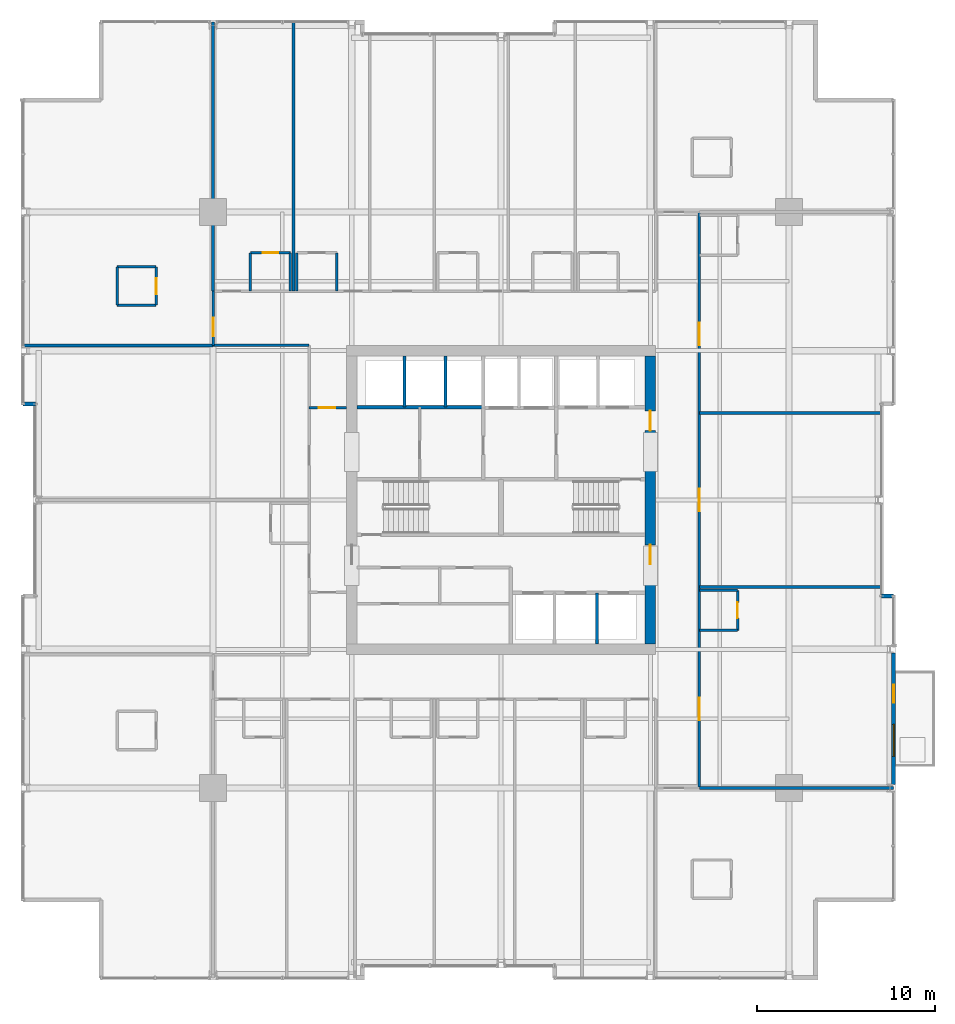
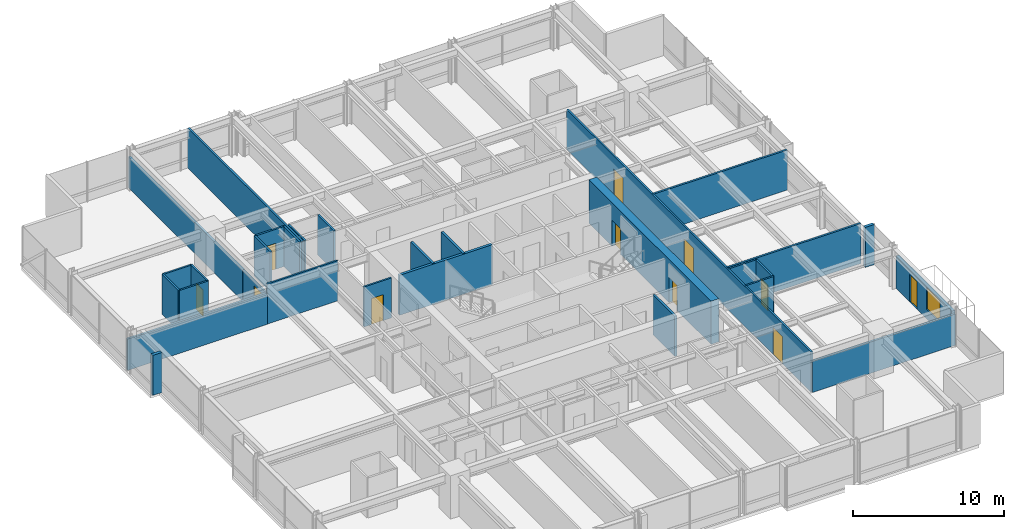
# One storey, part 30 of 34: 30 walls, 11 doors, 1 window, 12 openings.
"""IFC4 building model written with IfcOpenShell, lengths in metres."""

from ifc_helpers import new_model, si_unit, direction, frame, frame_2d, origin, place, context, subcontext, project, spatial, rectangle, extrude, material, layer, layer_set, type_object, element, fill, save


model = new_model("IFC4")

# Units and contexts
model_context = context("Model", 3, precision=1e-05, world=origin(), true_north=direction((0.0, 1.0)))
body_context = subcontext(model_context, "Body", "Model", "MODEL_VIEW")
ifc_project = project(units=[si_unit("LENGTHUNIT", "METRE"), si_unit("AREAUNIT", "SQUARE_METRE"), si_unit("VOLUMEUNIT", "CUBIC_METRE"), si_unit("PLANEANGLEUNIT", "RADIAN"), si_unit("MASSUNIT", "GRAM", prefix="KILO")], contexts=[model_context])

# Site, building, storey
site_placement = place(None, origin())
site = spatial("IfcSite", under=ifc_project, at=site_placement, CompositionType="ELEMENT")
building_placement = place(site_placement, origin())
building = spatial("IfcBuilding", under=site, at=building_placement, Name="Drelvath Grand Hotel", CompositionType="ELEMENT")
storey_placement = place(building_placement, frame((0.0, 0.0, 133.800048828125)))
storey = spatial("IfcBuildingStorey", under=building, at=storey_placement, Name="L34", CompositionType="ELEMENT", Elevation=133.800048828125)

# Walls
ifc_material_1 = material(Name="Concrete C40/50", Category="concrete")
ifc_layer_1 = layer(ifc_material_1, 0.199951171875)
ifc_layer_set_1 = layer_set([ifc_layer_1], Name="Concrete C40/50")
wall_type_1 = type_object("IfcWallType", Name="Core Hoistway Fire Wall 200", PredefinedType="SOLIDWALL", material=ifc_layer_set_1)
wall_1_placement = place(storey_placement, frame((-8.10009765625, 32.219970703125, 0.0), z_axis=(0.0, 0.0, 1.0), x_axis=(1.0, 0.0, 0.0)))
element("IfcWall", 1, at=wall_1_placement, inside=storey, type_object=wall_type_1, Name="L34 Bank 3 Hoistway Wall", PredefinedType="SOLIDWALL", context=body_context, shape_type="SweptSolid", body=[
    extrude(rectangle(XDim=7.10009765625, YDim=0.199951171875, at=frame_2d((3.550048828125, 0.0))), origin(), (0.0, 0.0, 1.0), 3.239990234375),
])
ifc_material_2 = material(Name="Gypsum Fireboard Partition")
ifc_layer_2 = layer(ifc_material_2, 0.1650390625)
ifc_layer_set_2 = layer_set([ifc_layer_2], Name="Gypsum Fireboard Partition")
wall_type_2 = type_object("IfcWallType", Name="Core Shaft Partition 165", PredefinedType="PARTITIONING", material=ifc_layer_set_2)
for number, where, z_axis, x_axis, name in (
    (2, (-5.43994140625, 32.219970703125, 0.0), (0.0, 0.0, 1.0), (0.0, 1.0, 0.0), "L34 Lift PE-7/8 Divider"),
    (3, (-3.1201171875, 32.219970703125, 0.0), (0.0, 0.0, 1.0), (0.0, 1.0, 0.0), "L34 Lift PE-8/9 Divider"),
    (4, (5.39990234375, 18.89990234375, 0.0), (0.0, 0.0, 1.0), (0.0, 1.0, 0.0), "L34 Lift PE-5/6 Divider"),
):
    element("IfcWall", number, at=place(storey_placement, frame(where, z_axis=z_axis, x_axis=x_axis)), inside=storey, type_object=wall_type_2, Name=name, PredefinedType="PARTITIONING", context=body_context, shape_type="SweptSolid", body=[
        extrude(rectangle(XDim=2.880126953125, YDim=0.1650390625, at=frame_2d((1.43994140625, 0.0))), origin(), (0.0, 0.0, 1.0), 3.239990234375),
    ])

# Wall, opening, door
ifc_layer_3 = layer(ifc_material_2, 0.135009765625)
ifc_layer_set_3 = layer_set([ifc_layer_3], Name="Gypsum Fireboard Partition")
wall_type_3 = type_object("IfcWallType", Name="Corridor Fire Barrier Wall 135", PredefinedType="PARTITIONING", material=ifc_layer_set_3)
wall_2_placement = place(storey_placement, frame((-10.800048828125, 32.199951171875, 0.0), z_axis=(0.0, 0.0, 1.0), x_axis=(1.0, 0.0, 0.0)))
wall_2 = element("IfcWall", 5, at=wall_2_placement, inside=storey, type_object=wall_type_3, Name="L34 West Foyer North Wall", PredefinedType="PARTITIONING", context=body_context, shape_type="SweptSolid", body=[
    extrude(rectangle(XDim=2.10009765625, YDim=0.135009765625, at=frame_2d((1.050048828125, 0.0))), origin(), (0.0, 0.0, 1.0), 3.239990234375),
])
opening_1_placement = place(wall_2_placement, frame((0.550048828125, 0.0, 0.0)))
opening_1 = element("IfcOpeningElement", 6, at=opening_1_placement, cuts=wall_2, Name="Opening D-T2G5-020", PredefinedType="OPENING", context=body_context, shape_type="SweptSolid", body=[
    extrude(rectangle(XDim=0.919921875, YDim=2.10009765625, at=frame_2d((0.4599609375, 1.050048828125))), frame((0.0, 0.077392578125, 0.0), z_axis=(0.0, -1.0, 0.0), x_axis=(1.0, 0.0, 0.0)), (0.0, 0.0, 1.0), 0.155029296875),
])
ifc_material_3 = material(Name="Painted Steel S275", Category="steel")
door_type_1 = type_object("IfcDoorType", Name="Staff Utility Door 920x2100", OperationType="NOTDEFINED", PredefinedType="DOOR", material=ifc_material_3)
door_1_placement = place(opening_1_placement, origin())
door_1 = element("IfcDoor", 7, at=door_1_placement, inside=storey, type_object=door_type_1, Name="L34 West Pantry Door", OperationType="SINGLE_SWING_LEFT", OverallHeight=2.10009765625, OverallWidth=0.919921875, PredefinedType="DOOR", context=body_context, shape_type="SweptSolid", body=[
    extrude(rectangle(XDim=0.919921875, YDim=2.10009765625, at=frame_2d((0.4599609375, 1.050048828125))), frame((0.0, 0.02490234375, 0.0), z_axis=(0.0, -1.0, 0.0), x_axis=(1.0, 0.0, 0.0)), (0.0, 0.0, 1.0), 0.050048828125),
])
fill(opening_1, door_1)

# Wall
wall_3_placement = place(storey_placement, frame((-16.199951171875, 35.699951171875, 0.0), z_axis=(0.0, 0.0, 1.0), x_axis=(1.0, 0.0, 0.0)))
element("IfcWall", 8, at=wall_3_placement, inside=storey, type_object=wall_type_3, Name="L34 NW Stub South Wall", PredefinedType="PARTITIONING", context=body_context, shape_type="SweptSolid", body=[
    extrude(rectangle(XDim=5.39990234375, YDim=0.135009765625, at=frame_2d((2.699951171875, 0.0))), origin(), (0.0, 0.0, 1.0), 3.239990234375),
])

# Wall, openings, doors
wall_4_placement = place(storey_placement, frame((11.14990234375, 10.800048828125, 0.0), z_axis=(0.0, 0.0, 1.0), x_axis=(0.0, 1.0, 0.0)))
wall_4 = element("IfcWall", 9, at=wall_4_placement, inside=storey, type_object=wall_type_3, Name="L34 East Spine Corridor Wall", PredefinedType="PARTITIONING", context=body_context, shape_type="SweptSolid", body=[
    extrude(rectangle(XDim=32.39990234375, YDim=0.135009765625, at=frame_2d((16.199951171875, 0.0))), origin(), (0.0, 0.0, 1.0), 3.239990234375),
])
opening_2_placement = place(wall_4_placement, frame((3.80615234375, 0.0, 0.0)))
opening_2 = element("IfcOpeningElement", 10, at=opening_2_placement, cuts=wall_4, Name="Opening D-T2G5-051", PredefinedType="OPENING", context=body_context, shape_type="SweptSolid", body=[
    extrude(rectangle(XDim=1.260009765625, YDim=2.199951171875, at=frame_2d((0.6298828125, 1.10009765625))), frame((0.0, 0.077392578125, 0.0), z_axis=(0.0, -1.0, 0.0), x_axis=(1.0, 0.0, 0.0)), (0.0, 0.0, 1.0), 0.155029296875),
])
opening_3_placement = place(wall_4_placement, frame((15.570068359375, 0.0, 0.0)))
opening_3 = element("IfcOpeningElement", 11, at=opening_3_placement, cuts=wall_4, Name="Opening D-T2G5-052", PredefinedType="OPENING", context=body_context, shape_type="SweptSolid", body=[
    extrude(rectangle(XDim=1.260009765625, YDim=2.199951171875, at=frame_2d((0.6298828125, 1.10009765625))), frame((0.0, 0.077392578125, 0.0), z_axis=(0.0, -1.0, 0.0), x_axis=(1.0, 0.0, 0.0)), (0.0, 0.0, 1.0), 0.155029296875),
])
opening_4_placement = place(wall_4_placement, frame((24.90380859375, 0.0, 0.0)))
opening_4 = element("IfcOpeningElement", 12, at=opening_4_placement, cuts=wall_4, Name="Opening D-T2G5-054", PredefinedType="OPENING", context=body_context, shape_type="SweptSolid", body=[
    extrude(rectangle(XDim=1.260009765625, YDim=2.199951171875, at=frame_2d((0.6298828125, 1.10009765625))), frame((0.0, 0.077392578125, 0.0), z_axis=(0.0, -1.0, 0.0), x_axis=(1.0, 0.0, 0.0)), (0.0, 0.0, 1.0), 0.155029296875),
])
ifc_material_4 = material(Name="Hardwood Walnut Timber", Category="wood")
door_type_2 = type_object("IfcDoorType", Name="Suite Entrance Fire Door 1260x2200", OperationType="NOTDEFINED", PredefinedType="DOOR", material=ifc_material_4)
door_2_placement = place(opening_2_placement, origin())
door_2 = element("IfcDoor", 13, at=door_2_placement, inside=storey, type_object=door_type_2, Name="L34 Corner Suite Entry Door", OperationType="SINGLE_SWING_RIGHT", OverallHeight=2.199951171875, OverallWidth=1.260009765625, PredefinedType="DOOR", context=body_context, shape_type="SweptSolid", body=[
    extrude(rectangle(XDim=1.260009765625, YDim=2.199951171875, at=frame_2d((0.6298828125, 1.10009765625))), frame((0.0, 0.02490234375, 0.0), z_axis=(0.0, -1.0, 0.0), x_axis=(1.0, 0.0, 0.0)), (0.0, 0.0, 1.0), 0.050048828125),
])
fill(opening_2, door_2)
door_3_placement = place(opening_3_placement, origin())
door_3 = element("IfcDoor", 14, at=door_3_placement, inside=storey, type_object=door_type_2, Name="L34 Concierge Suite Office Entry Door", OperationType="SINGLE_SWING_LEFT", OverallHeight=2.199951171875, OverallWidth=1.260009765625, PredefinedType="DOOR", context=body_context, shape_type="SweptSolid", body=[
    extrude(rectangle(XDim=1.260009765625, YDim=2.199951171875, at=frame_2d((0.6298828125, 1.10009765625))), frame((0.0, 0.02490234375, 0.0), z_axis=(0.0, -1.0, 0.0), x_axis=(1.0, 0.0, 0.0)), (0.0, 0.0, 1.0), 0.050048828125),
])
fill(opening_3, door_3)
door_4_placement = place(opening_4_placement, origin())
door_4 = element("IfcDoor", 15, at=door_4_placement, inside=storey, type_object=door_type_2, Name="L34 Corner Suite Entry Door", OperationType="SINGLE_SWING_LEFT", OverallHeight=2.199951171875, OverallWidth=1.260009765625, PredefinedType="DOOR", context=body_context, shape_type="SweptSolid", body=[
    extrude(rectangle(XDim=1.260009765625, YDim=2.199951171875, at=frame_2d((0.6298828125, 1.10009765625))), frame((0.0, 0.02490234375, 0.0), z_axis=(0.0, -1.0, 0.0), x_axis=(1.0, 0.0, 0.0)), (0.0, 0.0, 1.0), 0.050048828125),
])
fill(opening_4, door_4)

# Wall, opening, door
wall_5_placement = place(storey_placement, frame((-16.199951171875, 35.699951171875, 0.0), z_axis=(0.0, 0.0, 1.0), x_axis=(0.0, 1.0, 0.0)))
wall_5 = element("IfcWall", 16, at=wall_5_placement, inside=storey, type_object=wall_type_3, Name="L34 North Stub West End", PredefinedType="PARTITIONING", context=body_context, shape_type="SweptSolid", body=[
    extrude(rectangle(XDim=3.050048828125, YDim=0.135009765625, at=frame_2d((1.52490234375, 0.0))), origin(), (0.0, 0.0, 1.0), 2.529541015625),
])
opening_5_placement = place(wall_5_placement, frame((0.52001953125, 0.0, 0.0)))
opening_5 = element("IfcOpeningElement", 17, at=opening_5_placement, cuts=wall_5, Name="Opening D-T2G5-024", PredefinedType="OPENING", context=body_context, shape_type="SweptSolid", body=[
    extrude(rectangle(XDim=1.02001953125, YDim=2.14990234375, at=frame_2d((0.510009765625, 1.074951171875))), frame((0.0, 0.077392578125, 0.0), z_axis=(0.0, -1.0, 0.0), x_axis=(1.0, 0.0, 0.0)), (0.0, 0.0, 1.0), 0.155029296875),
])
door_type_3 = type_object("IfcDoorType", Name="Amenity Meeting Fire Door 1020x2150", OperationType="NOTDEFINED", PredefinedType="DOOR", material=ifc_material_4)
door_5_placement = place(opening_5_placement, origin())
door_5 = element("IfcDoor", 18, at=door_5_placement, inside=storey, type_object=door_type_3, Name="L34 Corner Suite Entry Door", OperationType="SINGLE_SWING_LEFT", OverallHeight=2.14990234375, OverallWidth=1.02001953125, PredefinedType="DOOR", context=body_context, shape_type="SweptSolid", body=[
    extrude(rectangle(XDim=1.02001953125, YDim=2.14990234375, at=frame_2d((0.510009765625, 1.074951171875))), frame((0.0, 0.02490234375, 0.0), z_axis=(0.0, -1.0, 0.0), x_axis=(1.0, 0.0, 0.0)), (0.0, 0.0, 1.0), 0.050048828125),
])
fill(opening_5, door_5)

# Walls
ifc_material_5 = material(Name="Moisture-Resistant Gypsum Board")
ifc_layer_4 = layer(ifc_material_5, 0.139892578125)
ifc_layer_set_4 = layer_set([ifc_layer_4], Name="Moisture-Resistant Gypsum Board")
wall_type_4 = type_object("IfcWallType", Name="En-Suite Plumbing Wall 140", PredefinedType="PLUMBINGWALL", material=ifc_layer_set_4)
for number, where, z_axis, x_axis, name in (
    (19, (-21.60009765625, 37.9599609375, 0.0), (0.0, 0.0, 1.0), (1.0, 0.0, 0.0), "L34 Corner En-Suite South"),
    (20, (-21.60009765625, 40.110107421875, 0.0), (0.0, 0.0, 1.0), (1.0, 0.0, 0.0), "L34 Corner En-Suite North"),
):
    element("IfcWall", number, at=place(storey_placement, frame(where, z_axis=z_axis, x_axis=x_axis)), inside=storey, type_object=wall_type_4, Name=name, PredefinedType="PLUMBINGWALL", context=body_context, shape_type="SweptSolid", body=[
        extrude(rectangle(XDim=2.2001953125, YDim=0.139892578125, at=frame_2d((1.10009765625, 0.0))), origin(), (0.0, 0.0, 1.0), 3.239990234375),
    ])
wall_6_placement = place(storey_placement, frame((-21.60009765625, 37.9599609375, 0.0), z_axis=(0.0, 0.0, 1.0), x_axis=(0.0, 1.0, 0.0)))
element("IfcWall", 21, at=wall_6_placement, inside=storey, type_object=wall_type_4, Name="L34 Corner En-Suite West", PredefinedType="PLUMBINGWALL", context=body_context, shape_type="SweptSolid", body=[
    extrude(rectangle(XDim=2.150146484375, YDim=0.139892578125, at=frame_2d((1.0751953125, 0.0))), origin(), (0.0, 0.0, 1.0), 3.239990234375),
])

# Wall, opening, door
wall_7_placement = place(storey_placement, frame((-19.39990234375, 37.9599609375, 0.0), z_axis=(0.0, 0.0, 1.0), x_axis=(0.0, 1.0, 0.0)))
wall_7 = element("IfcWall", 22, at=wall_7_placement, inside=storey, type_object=wall_type_4, Name="L34 Corner En-Suite East", PredefinedType="PLUMBINGWALL", context=body_context, shape_type="SweptSolid", body=[
    extrude(rectangle(XDim=2.150146484375, YDim=0.139892578125, at=frame_2d((1.0751953125, 0.0))), origin(), (0.0, 0.0, 1.0), 3.239990234375),
])
opening_6_placement = place(wall_7_placement, frame((0.6201171875, 0.0, 0.0)))
opening_6 = element("IfcOpeningElement", 23, at=opening_6_placement, cuts=wall_7, Name="Opening D-T2G5-023", PredefinedType="OPENING", context=body_context, shape_type="SweptSolid", body=[
    extrude(rectangle(XDim=0.8798828125, YDim=2.10009765625, at=frame_2d((0.43994140625, 1.050048828125))), frame((0.0, 0.079833984375, 0.0), z_axis=(0.0, -1.0, 0.0), x_axis=(1.0, 0.0, 0.0)), (0.0, 0.0, 1.0), 0.159912109375),
])
door_type_4 = type_object("IfcDoorType", Name="En-Suite Bathroom Door 880x2100", OperationType="NOTDEFINED", PredefinedType="DOOR", material=ifc_material_4)
door_6_placement = place(opening_6_placement, origin())
door_6 = element("IfcDoor", 24, at=door_6_placement, inside=storey, type_object=door_type_4, Name="L34 Corner En-Suite Door", OperationType="SINGLE_SWING_RIGHT", OverallHeight=2.10009765625, OverallWidth=0.8798828125, PredefinedType="DOOR", context=body_context, shape_type="SweptSolid", body=[
    extrude(rectangle(XDim=0.8798828125, YDim=2.10009765625, at=frame_2d((0.43994140625, 1.050048828125))), frame((0.0, 0.02490234375, 0.0), z_axis=(0.0, -1.0, 0.0), x_axis=(1.0, 0.0, 0.0)), (0.0, 0.0, 1.0), 0.050048828125),
])
fill(opening_6, door_6)

# Walls
for number, where, z_axis, x_axis, name in (
    (25, (-14.102783203125, 38.75, 0.0), (0.0, 0.0, 1.0), (0.0, 1.0, 0.0), "L34 En-Suite Left Wall"),
    (26, (-11.852783203125, 38.75, 0.0), (0.0, 0.0, 1.0), (0.0, 1.0, 0.0), "L34 En-Suite Right Wall"),
):
    element("IfcWall", number, at=place(storey_placement, frame(where, z_axis=z_axis, x_axis=x_axis)), inside=storey, type_object=wall_type_4, Name=name, PredefinedType="PLUMBINGWALL", context=body_context, shape_type="SweptSolid", body=[
        extrude(rectangle(XDim=2.14990234375, YDim=0.139892578125, at=frame_2d((1.074951171875, 0.0))), origin(), (0.0, 0.0, 1.0), 3.239990234375),
    ])

# Wall, opening, door
wall_8_placement = place(storey_placement, frame((-14.102783203125, 40.89990234375, 0.0), z_axis=(0.0, 0.0, 1.0), x_axis=(1.0, 0.0, 0.0)))
wall_8 = element("IfcWall", 27, at=wall_8_placement, inside=storey, type_object=wall_type_4, Name="L34 En-Suite Front Wall", PredefinedType="PLUMBINGWALL", context=body_context, shape_type="SweptSolid", body=[
    extrude(rectangle(XDim=2.25, YDim=0.139892578125, at=frame_2d((1.125, 0.0))), origin(), (0.0, 0.0, 1.0), 3.239990234375),
])
opening_7_placement = place(wall_8_placement, frame((0.68505859375, 0.0, 0.0)))
opening_7 = element("IfcOpeningElement", 28, at=opening_7_placement, cuts=wall_8, Name="Opening D-T2G5-039", PredefinedType="OPENING", context=body_context, shape_type="SweptSolid", body=[
    extrude(rectangle(XDim=0.8798828125, YDim=2.10009765625, at=frame_2d((0.43994140625, 1.050048828125))), frame((0.0, 0.079833984375, 0.0), z_axis=(0.0, -1.0, 0.0), x_axis=(1.0, 0.0, 0.0)), (0.0, 0.0, 1.0), 0.159912109375),
])
door_7_placement = place(opening_7_placement, origin())
door_7 = element("IfcDoor", 29, at=door_7_placement, inside=storey, type_object=door_type_4, Name="L34 En-Suite Bathroom Door", OperationType="SINGLE_SWING_RIGHT", OverallHeight=2.10009765625, OverallWidth=0.8798828125, PredefinedType="DOOR", context=body_context, shape_type="SweptSolid", body=[
    extrude(rectangle(XDim=0.8798828125, YDim=2.10009765625, at=frame_2d((0.43994140625, 1.050048828125))), frame((0.0, 0.02490234375, 0.0), z_axis=(0.0, -1.0, 0.0), x_axis=(1.0, 0.0, 0.0)), (0.0, 0.0, 1.0), 0.050048828125),
])
fill(opening_7, door_7)

# Walls
for number, where, z_axis, x_axis, name in (
    (30, (-11.49267578125, 38.75, 0.0), (0.0, 0.0, 1.0), (0.0, 1.0, 0.0), "L34 En-Suite Left Wall"),
    (31, (-9.24267578125, 38.75, 0.0), (0.0, 0.0, 1.0), (0.0, 1.0, 0.0), "L34 En-Suite Right Wall"),
):
    element("IfcWall", number, at=place(storey_placement, frame(where, z_axis=z_axis, x_axis=x_axis)), inside=storey, type_object=wall_type_4, Name=name, PredefinedType="PLUMBINGWALL", context=body_context, shape_type="SweptSolid", body=[
        extrude(rectangle(XDim=2.14990234375, YDim=0.139892578125, at=frame_2d((1.074951171875, 0.0))), origin(), (0.0, 0.0, 1.0), 3.239990234375),
    ])
for number, where, z_axis, x_axis, name in (
    (32, (11.14990234375, 19.67236328125, 0.0), (0.0, 0.0, 1.0), (1.0, 0.0, 0.0), "L34 En-Suite Left Wall"),
    (33, (11.14990234375, 21.92236328125, 0.0), (0.0, 0.0, 1.0), (1.0, 0.0, 0.0), "L34 En-Suite Right Wall"),
):
    element("IfcWall", number, at=place(storey_placement, frame(where, z_axis=z_axis, x_axis=x_axis)), inside=storey, type_object=wall_type_4, Name=name, PredefinedType="PLUMBINGWALL", context=body_context, shape_type="SweptSolid", body=[
        extrude(rectangle(XDim=2.150146484375, YDim=0.139892578125, at=frame_2d((1.0751953125, 0.0))), origin(), (0.0, 0.0, 1.0), 3.239990234375),
    ])

# Wall, opening, door
wall_9_placement = place(storey_placement, frame((13.300048828125, 19.67236328125, 0.0), z_axis=(0.0, 0.0, 1.0), x_axis=(0.0, 1.0, 0.0)))
wall_9 = element("IfcWall", 34, at=wall_9_placement, inside=storey, type_object=wall_type_4, Name="L34 En-Suite Front Wall", PredefinedType="PLUMBINGWALL", context=body_context, shape_type="SweptSolid", body=[
    extrude(rectangle(XDim=2.25, YDim=0.139892578125, at=frame_2d((1.125, 0.0))), origin(), (0.0, 0.0, 1.0), 3.239990234375),
])
opening_8_placement = place(wall_9_placement, frame((0.68505859375, 0.0, 0.0)))
opening_8 = element("IfcOpeningElement", 35, at=opening_8_placement, cuts=wall_9, Name="Opening D-T2G5-050", PredefinedType="OPENING", context=body_context, shape_type="SweptSolid", body=[
    extrude(rectangle(XDim=0.8798828125, YDim=2.10009765625, at=frame_2d((0.43994140625, 1.050048828125))), frame((0.0, 0.079833984375, 0.0), z_axis=(0.0, -1.0, 0.0), x_axis=(1.0, 0.0, 0.0)), (0.0, 0.0, 1.0), 0.159912109375),
])
door_8_placement = place(opening_8_placement, origin())
door_8 = element("IfcDoor", 36, at=door_8_placement, inside=storey, type_object=door_type_4, Name="L34 En-Suite Bathroom Door", OperationType="SINGLE_SWING_LEFT", OverallHeight=2.10009765625, OverallWidth=0.8798828125, PredefinedType="DOOR", context=body_context, shape_type="SweptSolid", body=[
    extrude(rectangle(XDim=0.8798828125, YDim=2.10009765625, at=frame_2d((0.43994140625, 1.050048828125))), frame((0.0, 0.02490234375, 0.0), z_axis=(0.0, -1.0, 0.0), x_axis=(1.0, 0.0, 0.0)), (0.0, 0.0, 1.0), 0.050048828125),
])
fill(opening_8, door_8)

# Walls
ifc_material_6 = material(Name="Gypsum Acoustic Partition")
ifc_layer_5 = layer(ifc_material_6, 0.14990234375)
ifc_layer_set_5 = layer_set([ifc_layer_5], Name="Gypsum Acoustic Partition")
wall_type_5 = type_object("IfcWallType", Name="Guestroom Demising Wall 150", PredefinedType="PARTITIONING", material=ifc_layer_set_5)
wall_10_placement = place(storey_placement, frame((-11.672607421875, 38.75, 0.0), z_axis=(0.0, 0.0, 1.0), x_axis=(0.0, 1.0, 0.0)))
element("IfcWall", 37, at=wall_10_placement, inside=storey, type_object=wall_type_5, Name="L34 North Demising 1", PredefinedType="PARTITIONING", context=body_context, shape_type="SweptSolid", body=[
    extrude(rectangle(XDim=15.1298828125, YDim=0.14990234375, at=frame_2d((7.56494140625, 0.0))), origin(), (0.0, 0.0, 1.0), 3.239990234375),
])
for number, where, z_axis, x_axis, name in (
    (38, (11.14990234375, 22.102294921875, 0.0), (0.0, 0.0, 1.0), (1.0, 0.0, 0.0), "L34 East Demising 1"),
    (39, (11.14990234375, 31.897705078125, 0.0), (0.0, 0.0, 1.0), (1.0, 0.0, 0.0), "L34 East Demising 2"),
):
    element("IfcWall", number, at=place(storey_placement, frame(where, z_axis=z_axis, x_axis=x_axis)), inside=storey, type_object=wall_type_5, Name=name, PredefinedType="PARTITIONING", context=body_context, shape_type="SweptSolid", body=[
        extrude(rectangle(XDim=10.25, YDim=0.14990234375, at=frame_2d((5.125, 0.0))), origin(), (0.0, 0.0, 1.0), 3.239990234375),
    ])

# Wall, openings, doors
ifc_material_7 = material(Name="Concrete f'c 70 MPa", Category="concrete")
ifc_layer_6 = layer(ifc_material_7, 0.60009765625)
ifc_layer_set_6 = layer_set([ifc_layer_6], Name="Concrete f'c 70 MPa")
wall_type_6 = type_object("IfcWallType", Name="Lower Core RC Shear Wall 600", PredefinedType="SHEAR", material=ifc_layer_set_6)
wall_11_placement = place(storey_placement, frame((8.39990234375, 35.10009765625, 0.0), z_axis=(0.0, 0.0, 1.0), x_axis=(0.0, -1.0, 0.0)))
wall_11 = element("IfcWall", 40, at=wall_11_placement, inside=storey, type_object=wall_type_6, Name="L34 Central Core Shear Wall E", PredefinedType="SHEAR", context=body_context, shape_type="SweptSolid", body=[
    extrude(rectangle(XDim=16.2001953125, YDim=0.60009765625, at=frame_2d((8.10009765625, 0.0))), origin(), (0.0, 0.0, 1.0), 3.5),
])
opening_9_placement = place(wall_11_placement, frame((3.080078125, 0.0, 0.0)))
opening_9 = element("IfcOpeningElement", 41, at=opening_9_placement, cuts=wall_11, Name="Opening D-T2G5-006", PredefinedType="OPENING", context=body_context, shape_type="SweptSolid", body=[
    extrude(rectangle(XDim=1.1201171875, YDim=2.10009765625, at=frame_2d((0.56005859375, 1.050048828125))), frame((0.0, 0.31005859375, 0.0), z_axis=(0.0, -1.0, 0.0), x_axis=(1.0, 0.0, 0.0)), (0.0, 0.0, 1.0), 0.6201171875),
])
opening_10_placement = place(wall_11_placement, frame((10.6201171875, 0.0, 0.0)))
opening_10 = element("IfcOpeningElement", 42, at=opening_10_placement, cuts=wall_11, Name="Opening D-T2G5-015", PredefinedType="OPENING", context=body_context, shape_type="SweptSolid", body=[
    extrude(rectangle(XDim=1.080078125, YDim=2.0400390625, at=frame_2d((0.5400390625, 1.02001953125))), frame((0.0, 0.31005859375, 0.0), z_axis=(0.0, -1.0, 0.0), x_axis=(1.0, 0.0, 0.0)), (0.0, 0.0, 1.0), 0.6201171875),
])
door_type_5 = type_object("IfcDoorType", Name="Core Corridor Fire Door 1080x2100", OperationType="NOTDEFINED", PredefinedType="DOOR", material=ifc_material_3)
door_9_placement = place(opening_10_placement, origin())
door_9 = element("IfcDoor", 43, at=door_9_placement, inside=storey, type_object=door_type_5, Name="L34 Mid-Rise Lobby East Door", OperationType="SINGLE_SWING_RIGHT", OverallHeight=2.0400390625, OverallWidth=1.080078125, PredefinedType="DOOR", context=body_context, shape_type="SweptSolid", body=[
    extrude(rectangle(XDim=1.080078125, YDim=2.0400390625, at=frame_2d((0.5400390625, 1.02001953125))), frame((0.0, 0.02490234375, 0.0), z_axis=(0.0, -1.0, 0.0), x_axis=(1.0, 0.0, 0.0)), (0.0, 0.0, 1.0), 0.050048828125),
])
fill(opening_10, door_9)
door_type_6 = type_object("IfcDoorType", Name="FSAE Smoke Lobby Fire Door 1120x2100", OperationType="NOTDEFINED", PredefinedType="DOOR", material=ifc_material_3)
door_10_placement = place(opening_9_placement, origin())
door_10 = element("IfcDoor", 44, at=door_10_placement, inside=storey, type_object=door_type_6, Name="L34 FSAE Lobby East Corridor Door", OperationType="SINGLE_SWING_LEFT", OverallHeight=2.10009765625, OverallWidth=1.1201171875, PredefinedType="DOOR", context=body_context, shape_type="SweptSolid", body=[
    extrude(rectangle(XDim=1.1201171875, YDim=2.10009765625, at=frame_2d((0.56005859375, 1.050048828125))), frame((0.0, 0.02490234375, 0.0), z_axis=(0.0, -1.0, 0.0), x_axis=(1.0, 0.0, 0.0)), (0.0, 0.0, 1.0), 0.050048828125),
])
fill(opening_9, door_10)

# Walls
ifc_layer_7 = layer(ifc_material_6, 0.1650390625)
ifc_layer_set_7 = layer_set([ifc_layer_7], Name="Gypsum Acoustic Partition")
wall_type_7 = type_object("IfcWallType", Name="Suite Demising Wall 165", PredefinedType="PARTITIONING", material=ifc_layer_set_7)
wall_12_placement = place(storey_placement, frame((-16.199951171875, 38.75, 0.0), z_axis=(0.0, 0.0, 1.0), x_axis=(0.0, 1.0, 0.0)))
element("IfcWall", 45, at=wall_12_placement, inside=storey, type_object=wall_type_7, Name="L34 NW Suite East Wall", PredefinedType="PARTITIONING", context=body_context, shape_type="SweptSolid", body=[
    extrude(rectangle(XDim=15.1298828125, YDim=0.1650390625, at=frame_2d((7.56494140625, 0.0))), origin(), (0.0, 0.0, 1.0), 2.529541015625),
])
wall_13_placement = place(storey_placement, frame((11.14990234375, 10.800048828125, 0.0), z_axis=(0.0, 0.0, 1.0), x_axis=(1.0, 0.0, 0.0)))
element("IfcWall", 46, at=wall_13_placement, inside=storey, type_object=wall_type_7, Name="L34 SE Suite North Wall", PredefinedType="PARTITIONING", context=body_context, shape_type="SweptSolid", body=[
    extrude(rectangle(XDim=10.93017578125, YDim=0.1650390625, at=frame_2d((5.465087890625, 0.0))), origin(), (0.0, 0.0, 1.0), 2.529541015625),
])
wall_14_placement = place(storey_placement, frame((-26.8798828125, 35.699951171875, 0.0), z_axis=(0.0, 0.0, 1.0), x_axis=(1.0, 0.0, 0.0)))
element("IfcWall", 47, at=wall_14_placement, inside=storey, type_object=wall_type_7, Name="L34 NW Suite South Wall", PredefinedType="PARTITIONING", context=body_context, shape_type="SweptSolid", body=[
    extrude(rectangle(XDim=10.679931640625, YDim=0.1650390625, at=frame_2d((5.33984375, 0.0))), origin(), (0.0, 0.0, 1.0), 2.529541015625),
])

# Wall, openings, window, door
ifc_material_8 = material(Name="Pale-Metal Insulated Aluminium Spandrel Assembly", Category="aluminium")
ifc_layer_8 = layer(ifc_material_8, 0.239990234375)
ifc_layer_set_8 = layer_set([ifc_layer_8], Name="Pale-Metal Insulated Aluminium Spandrel Assembly")
wall_type_8 = type_object("IfcWallType", Name="Tower Insulated Metal Spandrel Closure Wall 240", PredefinedType="STANDARD", material=ifc_layer_set_8)
wall_15_placement = place(storey_placement, frame((22.080078125, 18.390625, 0.0), z_axis=(0.0, 0.0, 1.0), x_axis=(0.0, -1.0, 0.0)))
wall_15 = element("IfcWall", 48, at=wall_15_placement, inside=storey, type_object=wall_type_8, Name="L34 Exterior Terrace Door Bay Wall ES2", PredefinedType="STANDARD", context=body_context, shape_type="SweptSolid", body=[
    extrude(rectangle(XDim=7.381103515625, YDim=0.239990234375, at=frame_2d((3.6904296875, 0.0))), origin(), (0.0, 0.0, 1.0), 2.628662109375),
])
opening_11_placement = place(wall_15_placement, frame((1.79052734375, 0.0, 0.0)))
opening_11 = element("IfcOpeningElement", 49, at=opening_11_placement, cuts=wall_15, Name="Opening TD-1000", PredefinedType="OPENING", context=body_context, shape_type="SweptSolid", body=[
    extrude(rectangle(XDim=1.0, YDim=2.199951171875, at=frame_2d((0.5, 1.10009765625))), frame((0.0, 0.1298828125, 0.0), z_axis=(0.0, -1.0, 0.0), x_axis=(1.0, 0.0, 0.0)), (0.0, 0.0, 1.0), 0.260009765625),
])
opening_12_placement = place(wall_15_placement, frame((4.011474609375, 0.0, 0.75)))
opening_12 = element("IfcOpeningElement", 50, at=opening_12_placement, cuts=wall_15, Name="Opening W-02", PredefinedType="OPENING", context=body_context, shape_type="SweptSolid", body=[
    extrude(rectangle(XDim=1.800048828125, YDim=1.77880859375, at=frame_2d((0.89990234375, 0.889404296875))), frame((0.0, 0.1298828125, 0.0), z_axis=(0.0, -1.0, 0.0), x_axis=(1.0, 0.0, 0.0)), (0.0, 0.0, 1.0), 0.260009765625),
])
ifc_material_9 = material(Name="Bronze Anodised Low-E Triple Glazing", Category="glass")
window_type = type_object("IfcWindowType", Name="Chicago Double-Pane Podium Window 1800x2400", PartitioningType="DOUBLE_PANEL_VERTICAL", PredefinedType="WINDOW", material=ifc_material_9)
window_placement = place(opening_12_placement, origin())
window = element("IfcWindow", 51, at=window_placement, inside=storey, type_object=window_type, Name="L34 Terrace Bay Companion Window ES2", OverallHeight=1.77880859375, OverallWidth=1.800048828125, PartitioningType="SINGLE_PANEL", PredefinedType="WINDOW", context=body_context, shape_type="SweptSolid", body=[
    extrude(rectangle(XDim=1.800048828125, YDim=1.77880859375, at=frame_2d((0.89990234375, 0.889404296875))), frame((0.0, 0.030029296875, 0.0), z_axis=(0.0, -1.0, 0.0), x_axis=(1.0, 0.0, 0.0)), (0.0, 0.0, 1.0), 0.06005859375),
])
fill(opening_12, window)
ifc_material_10 = material(Name="Anodised Aluminium Thermally Broken Glazed Door", Category="aluminium")
door_type_7 = type_object("IfcDoorType", Name="Terrace and Tree Balcony Glazed Door 1000x2200", OperationType="NOTDEFINED", PredefinedType="DOOR", material=ifc_material_10)
door_11_placement = place(opening_11_placement, origin())
door_11 = element("IfcDoor", 52, at=door_11_placement, inside=storey, type_object=door_type_7, Name="L34 Tree Balcony Door DOOR-L34-TBAL-1", OperationType="SINGLE_SWING_RIGHT", OverallHeight=2.199951171875, OverallWidth=1.0, PredefinedType="DOOR", context=body_context, shape_type="SweptSolid", body=[
    extrude(rectangle(XDim=1.0, YDim=2.199951171875, at=frame_2d((0.5, 1.10009765625))), frame((0.0, 0.02490234375, 0.0), z_axis=(0.0, -1.0, 0.0), x_axis=(1.0, 0.0, 0.0)), (0.0, 0.0, 1.0), 0.050048828125),
])
fill(opening_11, door_11)

# Walls
wall_16_placement = place(storey_placement, frame((-26.199951171875, 32.39990234375, 0.0), z_axis=(0.0, 0.0, 1.0), x_axis=(-1.0, 0.0, 0.0)))
element("IfcWall", 53, at=wall_16_placement, inside=storey, type_object=wall_type_8, Name="L34 Notched Corner Return Spandrel Wall RW2", PredefinedType="STANDARD", context=body_context, shape_type="SweptSolid", body=[
    extrude(rectangle(XDim=0.679931640625, YDim=0.239990234375, at=frame_2d((0.33984375, 0.0))), origin(), (0.0, 0.0, 1.0), 3.239990234375),
])
wall_17_placement = place(storey_placement, frame((21.39990234375, 21.60009765625, 0.0), z_axis=(0.0, 0.0, 1.0), x_axis=(1.0, 0.0, 0.0)))
element("IfcWall", 54, at=wall_17_placement, inside=storey, type_object=wall_type_8, Name="L34 Notched Corner Return Spandrel Wall RE2", PredefinedType="STANDARD", context=body_context, shape_type="SweptSolid", body=[
    extrude(rectangle(XDim=0.68017578125, YDim=0.239990234375, at=frame_2d((0.340087890625, 0.0))), origin(), (0.0, 0.0, 1.0), 3.239990234375),
])

save(model, "model.ifc")
